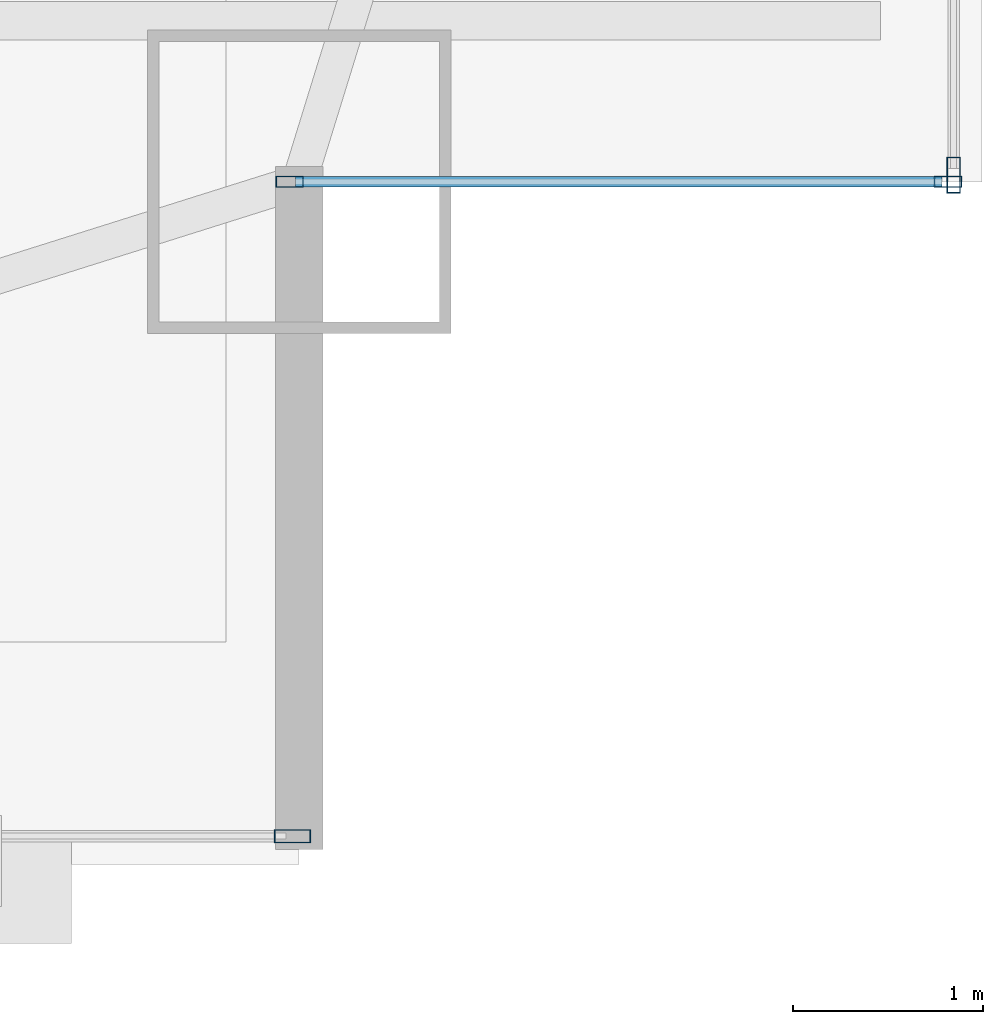
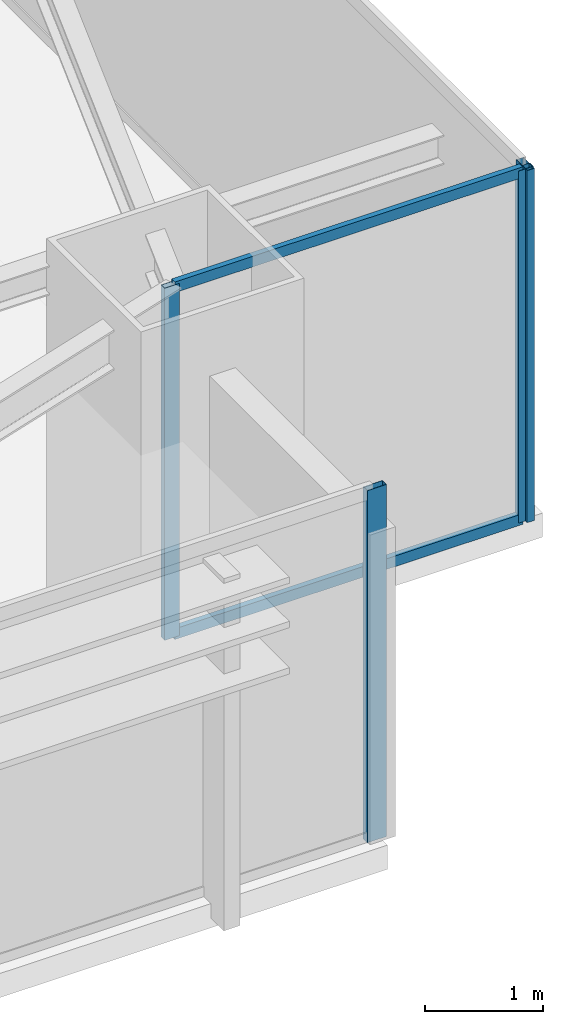
# One storey, part 14 of 34: 6 members, 3 elements without a shape of their own.
"""IFC4 building model written with IfcOpenShell, lengths in metres."""

from ifc_helpers import new_model, si_unit, direction, frame, origin, origin_2d, place, context, subcontext, project, spatial, hollow_rectangle, extrude, source, transform, mapped, material, layer, layer_set, material_profile, profile_set, type_object, type_shapes, element, aggregate, save


model = new_model("IFC4")

# Units and contexts
model_context = context("Model", 3, precision=1e-05, world=origin(), true_north=direction((0.0, 1.0)))
body_context = subcontext(model_context, "Body", "Model", "MODEL_VIEW")
ifc_project = project(units=[si_unit("LENGTHUNIT", "METRE"), si_unit("AREAUNIT", "SQUARE_METRE"), si_unit("VOLUMEUNIT", "CUBIC_METRE"), si_unit("PLANEANGLEUNIT", "RADIAN"), si_unit("MASSUNIT", "GRAM", prefix="KILO")], contexts=[model_context])

# Site, building, storey
site_placement = place(None, origin())
site = spatial("IfcSite", under=ifc_project, at=site_placement, CompositionType="ELEMENT")
building_placement = place(site_placement, origin())
building = spatial("IfcBuilding", under=site, at=building_placement, Name="Varnel Quay Broadcast Tower", CompositionType="ELEMENT")
storey_placement = place(building_placement, frame((0.0, 0.0, 47.10009765625)))
storey = spatial("IfcBuildingStorey", under=building, at=storey_placement, Name="L10", CompositionType="ELEMENT", Elevation=47.10009765625)

# Curtain wall, member
ifc_material = material(Name="Anodised Bronze Aluminium 6063-T6", Category="aluminium")
ifc_layer_1 = layer(ifc_material, 0.18994140625, Name="Anodised Bronze Aluminium 6063-T6")
ifc_layer_set_1 = layer_set([ifc_layer_1], Name="Anodised Bronze Aluminium 6063-T6")
curtain_wall_type_1 = type_object("IfcCurtainWallType", Name="CW_LowerTower", PredefinedType="NOTDEFINED", material=ifc_layer_set_1)
curtain_wall_1_placement = place(storey_placement, origin())
curtain_wall_1 = element("IfcCurtainWall", 1, at=curtain_wall_1_placement, inside=storey, type_object=curtain_wall_type_1, Name="L10 South Unitised Curtain Wall 3", PredefinedType="NOTDEFINED")
ifc_material_profile_1 = material_profile(ifc_material, hollow_rectangle(XDim=0.070068359375, YDim=0.18994140625, WallThickness=0.00390625, at=origin_2d()), Name="ALU70X190X4")
ifc_profile_set_1 = profile_set([ifc_material_profile_1], Name="Anodised Bronze Aluminium 6063-T6")
member_type_1 = type_object("IfcMemberType", Name="Mull_CWS-02", PredefinedType="MULLION", material=ifc_profile_set_1)
shared_shape_1 = source(origin(), body_context, "Body", "SweptSolid", [
    extrude(hollow_rectangle(XDim=0.070068359375, YDim=0.18994140625, WallThickness=0.00390625, at=origin_2d()), origin(), (0.0, 0.0, 1.0), 3.64990234375),
])
type_shapes(member_type_1, [shared_shape_1])
member_1_placement = place(storey_placement, frame((62.364990234375, 1.35009765625, 0.0), z_axis=(0.0, 0.0, 1.0), x_axis=(0.0, 1.0, 0.0)))
member_1 = element("IfcMember", 2, at=member_1_placement, type_object=member_type_1, Name="CWS-02 mullion 2", PredefinedType="MULLION", context=body_context, shape_type="MappedRepresentation", body=[
    mapped(shared_shape_1, transform((0.0, 0.0, 0.0), x_axis=(1.0, 0.0, 0.0), y_axis=(0.0, 1.0, 0.0), z_axis=(0.0, 0.0, 1.0), scale=1.0)),
])
aggregate(curtain_wall_1, [member_1])

curtain_wall_2_placement = place(storey_placement, origin())
curtain_wall_2 = element("IfcCurtainWall", 3, at=curtain_wall_2_placement, inside=storey, type_object=curtain_wall_type_1, Name="L10 East Unitised Curtain Wall", PredefinedType="NOTDEFINED")
member_2_placement = place(storey_placement, frame((65.85009765625, 4.8349609375, 0.0), z_axis=(0.0, 0.0, 1.0), x_axis=(-1.0, 0.0, 0.0)))
member_2 = element("IfcMember", 4, at=member_2_placement, type_object=member_type_1, Name="CWS-02 mullion 1", PredefinedType="MULLION", context=body_context, shape_type="MappedRepresentation", body=[
    mapped(shared_shape_1, transform((0.0, 0.0, 0.0), x_axis=(1.0, 0.0, 0.0), y_axis=(0.0, 1.0, 0.0), z_axis=(0.0, 0.0, 1.0), scale=1.0)),
])
aggregate(curtain_wall_2, [member_2])

# Curtain wall, members
ifc_layer_2 = layer(ifc_material, 0.18994140625, Name="Anodised Bronze Aluminium 6063-T6")
ifc_layer_set_2 = layer_set([ifc_layer_2], Name="Anodised Bronze Aluminium 6063-T6")
curtain_wall_type_2 = type_object("IfcCurtainWallType", Name="CW_NotchCorner", PredefinedType="NOTDEFINED", material=ifc_layer_set_2)
curtain_wall_3_placement = place(storey_placement, origin())
curtain_wall_3 = element("IfcCurtainWall", 5, at=curtain_wall_3_placement, inside=storey, type_object=curtain_wall_type_2, Name="L10 SE Notch Curtain Wall", PredefinedType="NOTDEFINED")
ifc_material_profile_2 = material_profile(ifc_material, hollow_rectangle(XDim=0.06005859375, YDim=0.14501953125, WallThickness=0.00341796875, at=origin_2d()), Name="ALU60X145X3.5")
ifc_profile_set_2 = profile_set([ifc_material_profile_2], Name="Anodised Bronze Aluminium 6063-T6")
member_type_2 = type_object("IfcMemberType", Name="Mull_CWS-04", PredefinedType="MULLION", material=ifc_profile_set_2)
shared_shape_2 = source(origin(), body_context, "Body", "SweptSolid", [
    extrude(hollow_rectangle(XDim=0.06005859375, YDim=0.14501953125, WallThickness=0.00341796875, at=origin_2d()), origin(), (0.0, 0.0, 1.0), 3.64990234375),
])
type_shapes(member_type_2, [shared_shape_2])
member_3_placement = place(storey_placement, frame((62.35009765625, 4.800048828125, 0.0), z_axis=(0.0, 0.0, 1.0), x_axis=(0.0, 1.0, 0.0)))
member_3 = element("IfcMember", 6, at=member_3_placement, type_object=member_type_2, Name="CWS-04 mullion 1", PredefinedType="MULLION", context=body_context, shape_type="MappedRepresentation", body=[
    mapped(shared_shape_2, transform((0.0, 0.0, 0.0), x_axis=(1.0, 0.0, 0.0), y_axis=(0.0, 1.0, 0.0), z_axis=(0.0, 0.0, 1.0), scale=1.0)),
])
member_4_placement = place(storey_placement, frame((65.820068359375, 4.800048828125, 0.0), z_axis=(0.0, 0.0, 1.0), x_axis=(0.0, 1.0, 0.0)))
member_4 = element("IfcMember", 7, at=member_4_placement, type_object=member_type_2, Name="CWS-04 mullion 2", PredefinedType="MULLION", context=body_context, shape_type="MappedRepresentation", body=[
    mapped(shared_shape_2, transform((0.0, 0.0, 0.0), x_axis=(1.0, 0.0, 0.0), y_axis=(0.0, 1.0, 0.0), z_axis=(0.0, 0.0, 1.0), scale=1.0)),
])
ifc_material_profile_3 = material_profile(ifc_material, hollow_rectangle(XDim=0.054931640625, YDim=0.110107421875, WallThickness=0.0029296875, at=origin_2d()), Name="ALU55X110X3")
ifc_profile_set_3 = profile_set([ifc_material_profile_3], Name="Anodised Bronze Aluminium 6063-T6")
member_type_3 = type_object("IfcMemberType", Name="Tran_CWS-04", PredefinedType="USERDEFINED", material=ifc_profile_set_3)
shared_shape_3 = source(origin(), body_context, "Body", "SweptSolid", [
    extrude(hollow_rectangle(XDim=0.054931640625, YDim=0.110107421875, WallThickness=0.0029296875, at=origin_2d()), origin(), (0.0, 0.0, 1.0), 3.41015625),
])
type_shapes(member_type_3, [shared_shape_3])
member_5_placement = place(storey_placement, frame((62.3798828125, 4.800048828125, 0.02734375), z_axis=(1.0, 0.0, 0.0), x_axis=(0.0, 1.0, 0.0)))
member_5 = element("IfcMember", 8, at=member_5_placement, type_object=member_type_3, Name="CWS-04 transom 1.1", ObjectType="TRANSOM", PredefinedType="USERDEFINED", context=body_context, shape_type="MappedRepresentation", body=[
    mapped(shared_shape_3, transform((0.0, 0.0, 0.0), x_axis=(1.0, 0.0, 0.0), y_axis=(0.0, 1.0, 0.0), z_axis=(0.0, 0.0, 1.0), scale=1.0)),
])
member_6_placement = place(storey_placement, frame((62.3798828125, 4.800048828125, 3.622314453125), z_axis=(1.0, 0.0, 0.0), x_axis=(0.0, 1.0, 0.0)))
member_6 = element("IfcMember", 9, at=member_6_placement, type_object=member_type_3, Name="CWS-04 transom 1.2", ObjectType="TRANSOM", PredefinedType="USERDEFINED", context=body_context, shape_type="MappedRepresentation", body=[
    mapped(shared_shape_3, transform((0.0, 0.0, 0.0), x_axis=(1.0, 0.0, 0.0), y_axis=(0.0, 1.0, 0.0), z_axis=(0.0, 0.0, 1.0), scale=1.0)),
])
aggregate(curtain_wall_3, [member_3, member_4, member_5, member_6])

save(model, "model.ifc")
